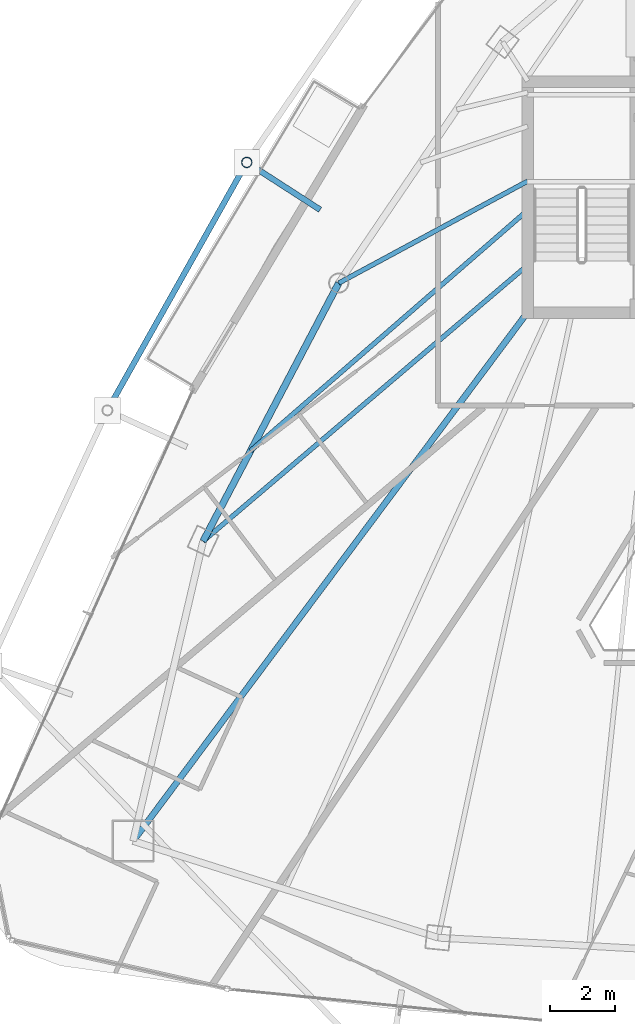
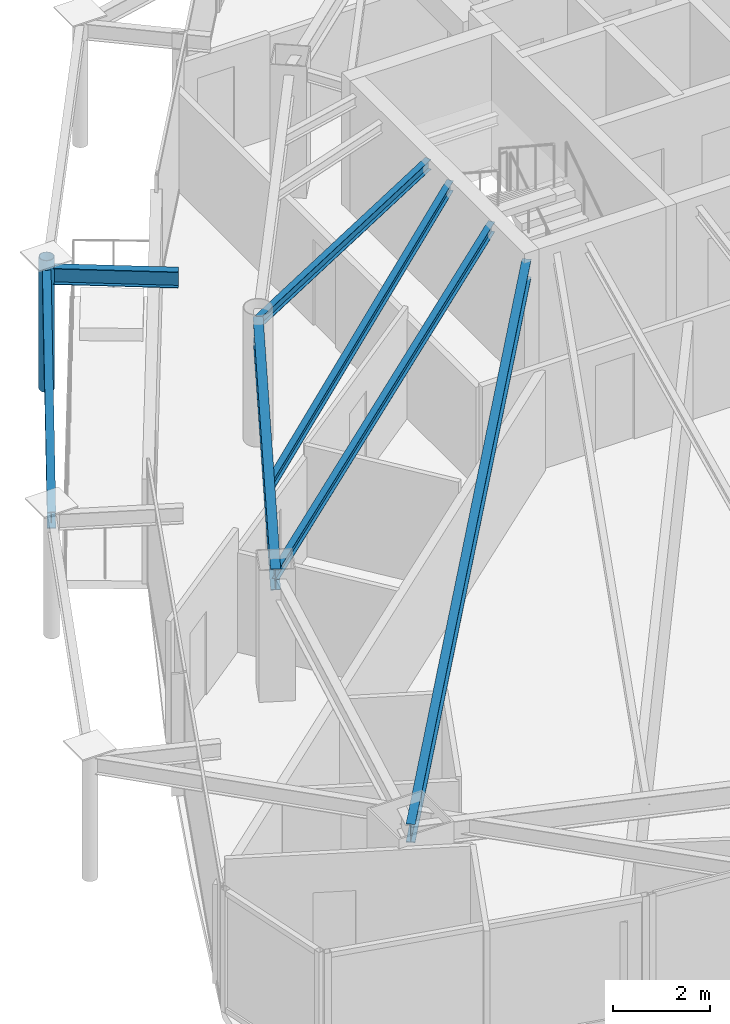
# One storey, part 12 of 33: 7 beams, 1 member.
"""IFC4 building model written with IfcOpenShell, lengths in metres."""

from ifc_helpers import new_model, si_unit, direction, frame, origin, origin_2d, place, context, subcontext, project, spatial, hollow_circle, i_section, extrude, material, material_profile, profile_set, type_object, element, save


model = new_model("IFC4")

# Units and contexts
model_context = context("Model", 3, precision=1e-05, world=origin(), true_north=direction((0.0, 1.0)))
body_context = subcontext(model_context, "Body", "Model", "MODEL_VIEW")
ifc_project = project(units=[si_unit("LENGTHUNIT", "METRE"), si_unit("AREAUNIT", "SQUARE_METRE"), si_unit("VOLUMEUNIT", "CUBIC_METRE"), si_unit("PLANEANGLEUNIT", "RADIAN"), si_unit("MASSUNIT", "GRAM", prefix="KILO")], contexts=[model_context])

# Site, building, storey
site_placement = place(None, origin())
site = spatial("IfcSite", under=ifc_project, at=site_placement, CompositionType="ELEMENT")
building_placement = place(site_placement, origin())
building = spatial("IfcBuilding", under=site, at=building_placement, Name="Orvanel Arch Residences", CompositionType="ELEMENT")
storey_placement = place(building_placement, frame((0.0, 0.0, 212.89990234375)))
storey = spatial("IfcBuildingStorey", under=building, at=storey_placement, Name="L60", CompositionType="ELEMENT", Elevation=212.89990234375)

# Beams
ifc_material_1 = material(Name="Structural steel AS/NZS 3679.1 Grade 300 (300 MPa)", Category="steel")
ifc_material_profile_1 = material_profile(ifc_material_1, i_section(OverallWidth=0.19091796875, OverallDepth=0.4599609375, WebThickness=0.010009765625, FlangeThickness=0.01611328125, at=origin_2d()), Name="460UB82.1")
ifc_profile_set_1 = profile_set([ifc_material_profile_1], Name="Structural steel AS/NZS 3679.1 Grade 300 (300 MPa)")
beam_type_1 = type_object("IfcBeamType", Name="BG-460UB", PredefinedType="BEAM", material=ifc_profile_set_1)
beam_1_placement = place(storey_placement, frame((26.375, 26.675048828125, 2.830078125), z_axis=(-0.597893733742, -0.801575375839, 0.0), x_axis=(0.801575375839, -0.597893733742, 0.0)))
element("IfcBeam", 1, at=beam_1_placement, inside=storey, type_object=beam_type_1, Name="L60 South-West Radial Girder", PredefinedType="BEAM", context=body_context, shape_type="SweptSolid", body=[
    extrude(i_section(OverallWidth=0.19091796875, OverallDepth=0.4599609375, WebThickness=0.010009765625, FlangeThickness=0.01611328125, at=origin_2d()), origin(), (0.0, 0.0, 1.0), 20.36474609375),
])
ifc_material_profile_2 = material_profile(ifc_material_1, i_section(OverallWidth=0.14599609375, OverallDepth=0.251953125, WebThickness=0.006103515625, FlangeThickness=0.008544921875, at=origin_2d()), Name="250UB31.4")
ifc_profile_set_2 = profile_set([ifc_material_profile_2], Name="Structural steel AS/NZS 3679.1 Grade 300 (300 MPa)")
beam_type_2 = type_object("IfcBeamType", Name="BJ-250UB", PredefinedType="JOIST", material=ifc_profile_set_2)
beam_2_placement = place(storey_placement, frame((26.425048828125, 30.800048828125, 2.93408203125), z_axis=(-0.880111494021, -0.474767056664, 0.0), x_axis=(0.474767056664, -0.880111494021, 0.0)))
element("IfcBeam", 2, at=beam_2_placement, inside=storey, type_object=beam_type_2, Name="L60 NW Wing Floor Joist", PredefinedType="JOIST", context=body_context, shape_type="SweptSolid", body=[
    extrude(i_section(OverallWidth=0.14599609375, OverallDepth=0.251953125, WebThickness=0.006103515625, FlangeThickness=0.008544921875, at=origin_2d()), origin(), (0.0, 0.0, 1.0), 6.653564453125),
])
beam_3_placement = place(storey_placement, frame((26.425048828125, 28.199951171875, 2.93408203125), z_axis=(-0.761622669031, -0.64802076357, 0.0), x_axis=(0.64802076357, -0.761622669031, 0.0)))
element("IfcBeam", 3, at=beam_3_placement, inside=storey, type_object=beam_type_2, Name="L60 W Wing Floor Joist", PredefinedType="JOIST", context=body_context, shape_type="SweptSolid", body=[
    extrude(i_section(OverallWidth=0.14599609375, OverallDepth=0.251953125, WebThickness=0.006103515625, FlangeThickness=0.008544921875, at=origin_2d()), origin(), (0.0, 0.0, 1.0), 13.2060546875),
])
beam_4_placement = place(storey_placement, frame((26.425048828125, 29.89990234375, 2.93408203125), z_axis=(-0.755000957585, -0.655723687269, 0.0), x_axis=(0.655723687269, -0.755000957585, 0.0)))
element("IfcBeam", 4, at=beam_4_placement, inside=storey, type_object=beam_type_2, Name="L60 CTW Wing Floor Joist", PredefinedType="JOIST", context=body_context, shape_type="SweptSolid", body=[
    extrude(i_section(OverallWidth=0.14599609375, OverallDepth=0.251953125, WebThickness=0.006103515625, FlangeThickness=0.008544921875, at=origin_2d()), origin(), (0.0, 0.0, 1.0), 11.373779296875),
])
ifc_material_profile_3 = material_profile(ifc_material_1, i_section(OverallWidth=0.177978515625, OverallDepth=0.406005859375, WebThickness=0.0078125, FlangeThickness=0.0126953125, at=origin_2d()), Name="410UB59.7")
ifc_profile_set_3 = profile_set([ifc_material_profile_3], Name="Structural steel AS/NZS 3679.1 Grade 300 (300 MPa)")
beam_type_3 = type_object("IfcBeamType", Name="OB-410UB-EXT", PredefinedType="SPANDREL", material=ifc_profile_set_3)
beam_5_placement = place(storey_placement, frame((19.993896484375, 29.9130859375, 2.857177734375), z_axis=(-0.840133572131, 0.542379554351, 0.0), x_axis=(-0.542379554351, -0.840133572131, 0.0)))
element("IfcBeam", 5, at=beam_5_placement, inside=storey, type_object=beam_type_3, Name="L60 Outer Frame Radial Tie Beam 02", PredefinedType="SPANDREL", context=body_context, shape_type="SweptSolid", body=[
    extrude(i_section(OverallWidth=0.177978515625, OverallDepth=0.406005859375, WebThickness=0.0078125, FlangeThickness=0.0126953125, at=origin_2d()), origin(), (0.0, 0.0, 1.0), 2.70654296875),
])
beam_6_placement = place(storey_placement, frame((17.719970703125, 31.381103515625, 2.857177734375), z_axis=(-0.490069250464, -0.871683503199, 0.0), x_axis=(0.871683503199, -0.490069250464, 0.0)))
element("IfcBeam", 6, at=beam_6_placement, inside=storey, type_object=beam_type_3, Name="L60 Outer Perimeter Floor Ring Beam 02", PredefinedType="SPANDREL", context=body_context, shape_type="SweptSolid", body=[
    extrude(i_section(OverallWidth=0.177978515625, OverallDepth=0.406005859375, WebThickness=0.0078125, FlangeThickness=0.0126953125, at=origin_2d()), origin(), (0.0, 0.0, 1.0), 8.815185546875),
])
ifc_material_profile_4 = material_profile(ifc_material_1, i_section(OverallWidth=0.208984375, OverallDepth=0.532958984375, WebThickness=0.01025390625, FlangeThickness=0.015625, at=origin_2d()), Name="530UB92.4")
ifc_profile_set_4 = profile_set([ifc_material_profile_4], Name="Structural steel AS/NZS 3679.1 Grade 300 (300 MPa)")
beam_type_4 = type_object("IfcBeamType", Name="SP-530UB", PredefinedType="SPANDREL", material=ifc_profile_set_4)
beam_7_placement = place(storey_placement, frame((20.569091796875, 27.64111328125, 2.794189453125), z_axis=(-0.465064762793, -0.885276660942, 0.0), x_axis=(0.885276660942, -0.465064762793, 0.0)))
element("IfcBeam", 7, at=beam_7_placement, inside=storey, type_object=beam_type_4, Name="L60 Perimeter Spandrel Beam 12", PredefinedType="SPANDREL", context=body_context, shape_type="SweptSolid", body=[
    extrude(i_section(OverallWidth=0.208984375, OverallDepth=0.532958984375, WebThickness=0.01025390625, FlangeThickness=0.015625, at=origin_2d()), origin(), (0.0, 0.0, 1.0), 9.03564453125),
])

# Member
ifc_material_2 = material(Name="Structural steel AS/NZS 1163 C350L0 (Grade 350)", Category="steel")
ifc_material_profile_5 = material_profile(ifc_material_2, hollow_circle(Radius=0.162109375, WallThickness=0.0126953125, at=origin_2d()), Name="CHS324x12.7")
ifc_profile_set_5 = profile_set([ifc_material_profile_5], Name="Structural steel AS/NZS 1163 C350L0 (Grade 350)")
member_type = type_object("IfcMemberType", Name="ST-324CHS-EXT", PredefinedType="STRUT", material=ifc_profile_set_5)
member_placement = place(storey_placement, frame((17.719970703125, 31.381103515625, 0.0), z_axis=(0.0, 0.0, 1.0), x_axis=(1.0, 0.0, 0.0)))
element("IfcMember", 8, at=member_placement, inside=storey, type_object=member_type, Name="L60 Outer Perimeter Frame Post 02", PredefinedType="STRUT", context=body_context, shape_type="SweptSolid", body=[
    extrude(hollow_circle(Radius=0.162109375, WallThickness=0.0126953125, at=origin_2d()), origin(), (0.0, 0.0, 1.0), 3.300048828125),
])

save(model, "model.ifc")
